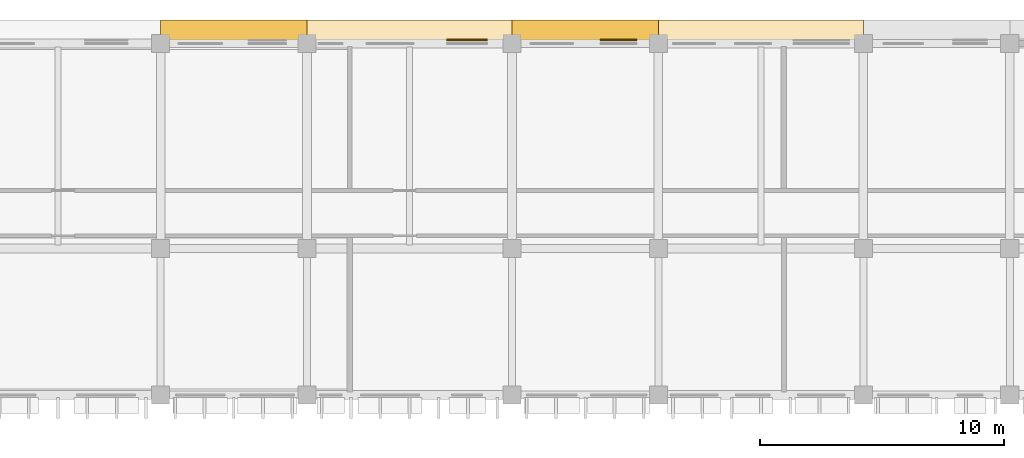
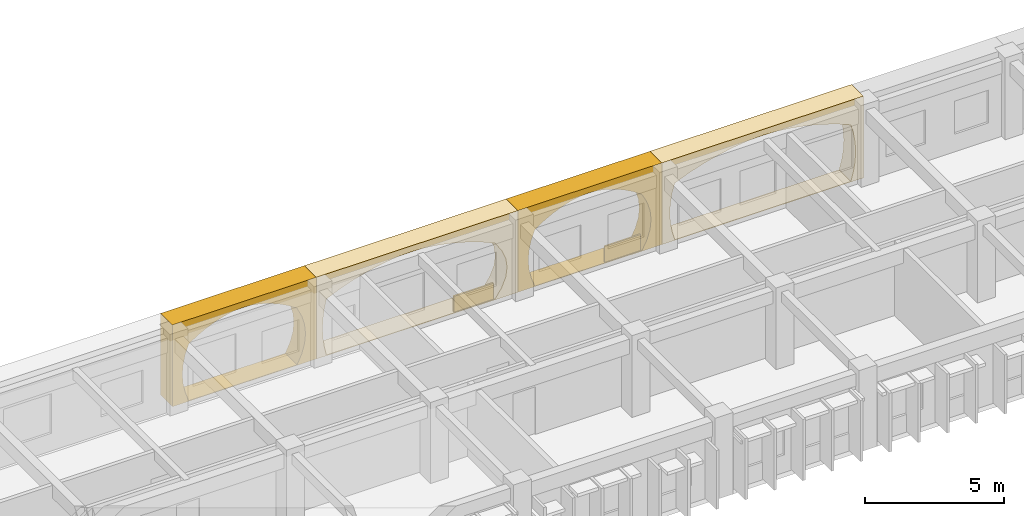
# One storey, part 83 of 88: 6 coverings.
"""IFC4 building model written with IfcOpenShell, lengths in metres."""

from ifc_helpers import new_model, si_unit, direction, frame, origin, origin_2d, place, context, subcontext, project, spatial, polyline, rectangle, outline, extrude, material, layer, layer_set, type_object, element, save


model = new_model("IFC4")

# Units and contexts
model_context = context("Model", 3, precision=1e-05, world=origin(), true_north=direction((0.0, 1.0)))
body_context = subcontext(model_context, "Body", "Model", "MODEL_VIEW")
ifc_project = project(units=[si_unit("LENGTHUNIT", "METRE"), si_unit("AREAUNIT", "SQUARE_METRE"), si_unit("VOLUMEUNIT", "CUBIC_METRE"), si_unit("PLANEANGLEUNIT", "RADIAN"), si_unit("MASSUNIT", "GRAM", prefix="KILO"), si_unit("THERMODYNAMICTEMPERATUREUNIT", "KELVIN")], contexts=[model_context])

# Site, building, storey
site_placement = place(None, origin())
site = spatial("IfcSite", under=ifc_project, at=site_placement, CompositionType="ELEMENT")
building_placement = place(site_placement, origin())
building = spatial("IfcBuilding", under=site, at=building_placement, Name="Thalorik Housing Commons", CompositionType="ELEMENT")
storey_placement = place(building_placement, frame((0.0, 0.0, 4.5)))
storey = spatial("IfcBuildingStorey", under=building, at=storey_placement, Name="L01", CompositionType="ELEMENT", Elevation=4.5)

# Coverings
ifc_material_1 = material(Name="Cobalt blue glazed ceramic facade tile panel", Category="masonry")
ifc_layer_1 = layer(ifc_material_1, 0.06005859375, Name="Cobalt blue glazed ceramic facade tile panel", Category="masonry")
ifc_layer_set_1 = layer_set([ifc_layer_1], Name="Cobalt blue glazed ceramic facade tile panel")
covering_type_1 = type_object("IfcCoveringType", Name="ARC-CLD-BLU-60", PredefinedType="CLADDING", material=ifc_layer_set_1)
covering_1_placement = place(storey_placement, frame((127.969970703125, 123.742431640625, 0.0498046875), z_axis=(0.0, 0.0, 1.0), x_axis=(-1.0, 0.0, 0.0)))
element("IfcCovering", 1, at=covering_1_placement, inside=storey, type_object=covering_type_1, Name="L01 De Stijl Recessed Window Spandrel 1509", PredefinedType="CLADDING", context=body_context, shape_type="SweptSolid", body=[
    extrude(rectangle(XDim=1.5, YDim=0.06005859375, at=origin_2d()), origin(), (0.0, 0.0, 1.0), 0.699951171875),
])
ifc_material_2 = material(Name="Precast concrete C40/50", Category="concrete")
ifc_layer_2 = layer(ifc_material_2, 0.85009765625, Name="Precast concrete C40/50", Category="concrete")
ifc_layer_set_2 = layer_set([ifc_layer_2], Name="Precast concrete C40/50")
covering_type_2 = type_object("IfcCoveringType", Name="ARC-CLD-CUSH-850", PredefinedType="CLADDING", material=ifc_layer_set_2)
covering_2_placement = place(storey_placement, frame((133.800048828125, 124.132568359375, 0.0), z_axis=(0.0, 0.0, 1.0), x_axis=(-1.0, 0.0, 0.0)))
element("IfcCovering", 2, at=covering_2_placement, inside=storey, type_object=covering_type_2, Name="L01 White Precast Curved Cushion Bay Frame 1506", PredefinedType="CLADDING", context=body_context, shape_type="SweptSolid", body=[
    extrude(outline(polyline([(-4.199951171875, 0.0), (4.199951171875, 0.0), (4.199951171875, 3.60009765625), (-4.199951171875, 3.60009765625), (-4.199951171875, 0.0)]), holes=[polyline([(3.66259765625, 0.02490234375), (3.77587890625, 0.44091796875), (3.843994140625, 0.856689453125), (3.86669921875, 1.2724609375), (3.843994140625, 1.688232421875), (3.77587890625, 2.104248046875), (3.66259765625, 2.52001953125), (3.051025390625, 2.76953125), (2.439697265625, 2.965576171875), (1.828125, 3.12451171875), (1.216796875, 3.242431640625), (0.605224609375, 3.3154296875), (-0.00634765625, 3.340087890625), (-0.61767578125, 3.3154296875), (-1.229248046875, 3.242431640625), (-1.840576171875, 3.12451171875), (-2.4521484375, 2.965576171875), (-3.0634765625, 2.76953125), (-3.675048828125, 2.52001953125), (-3.785888671875, 2.104248046875), (-3.852294921875, 1.688232421875), (-3.87451171875, 1.2724609375), (-3.852294921875, 0.856689453125), (-3.785888671875, 0.44091796875), (-3.675048828125, 0.02490234375), (3.66259765625, 0.02490234375)])]), frame((0.0, 0.425048828125, 0.0), z_axis=(0.0, -1.0, 0.0), x_axis=(1.0, 0.0, 0.0)), (0.0, 0.0, 1.0), 0.85009765625),
])
covering_3_placement = place(storey_placement, frame((126.60009765625, 124.132568359375, 0.0), z_axis=(0.0, 0.0, 1.0), x_axis=(-1.0, 0.0, 0.0)))
element("IfcCovering", 3, at=covering_3_placement, inside=storey, type_object=covering_type_2, Name="L01 White Precast Curved Cushion Bay Frame 1508", PredefinedType="CLADDING", context=body_context, shape_type="SweptSolid", body=[
    extrude(outline(polyline([(-3.0, 0.0), (3.0, 0.0), (3.0, 3.60009765625), (-3.0, 3.60009765625), (-3.0, 0.0)]), holes=[polyline([(2.294921875, 0.02490234375), (2.44384765625, 0.4375), (2.533203125, 0.85009765625), (2.56298828125, 1.262451171875), (2.533203125, 1.675048828125), (2.44384765625, 2.08740234375), (2.294921875, 2.5), (1.9228515625, 2.755615234375), (1.55078125, 2.956298828125), (1.1787109375, 3.119140625), (0.806640625, 3.239990234375), (0.4345703125, 3.314697265625), (0.0625, 3.340087890625), (-0.3095703125, 3.314697265625), (-0.681640625, 3.239990234375), (-1.0537109375, 3.119140625), (-1.42578125, 2.956298828125), (-1.7978515625, 2.755615234375), (-2.169921875, 2.5), (-2.381103515625, 2.08740234375), (-2.5078125, 1.675048828125), (-2.550048828125, 1.262451171875), (-2.5078125, 0.85009765625), (-2.381103515625, 0.4375), (-2.169921875, 0.02490234375), (2.294921875, 0.02490234375)])]), frame((0.0, 0.425048828125, 0.0), z_axis=(0.0, -1.0, 0.0), x_axis=(1.0, 0.0, 0.0)), (0.0, 0.0, 1.0), 0.85009765625),
])
covering_4_placement = place(storey_placement, frame((119.39990234375, 124.132568359375, 0.0), z_axis=(0.0, 0.0, 1.0), x_axis=(-1.0, 0.0, 0.0)))
element("IfcCovering", 4, at=covering_4_placement, inside=storey, type_object=covering_type_2, Name="L01 White Precast Curved Cushion Bay Frame 1510", PredefinedType="CLADDING", context=body_context, shape_type="SweptSolid", body=[
    extrude(outline(polyline([(-4.199951171875, 0.0), (4.199951171875, 0.0), (4.199951171875, 3.60009765625), (-4.199951171875, 3.60009765625), (-4.199951171875, 0.0)]), holes=[polyline([(3.780029296875, 0.02490234375), (3.86865234375, 0.4375), (3.921875, 0.85009765625), (3.939697265625, 1.262451171875), (3.921875, 1.675048828125), (3.86865234375, 2.08740234375), (3.780029296875, 2.5), (3.195068359375, 2.755615234375), (2.610107421875, 2.956298828125), (2.02490234375, 3.119140625), (1.43994140625, 3.239990234375), (0.85498046875, 3.314697265625), (0.27001953125, 3.340087890625), (-0.31494140625, 3.314697265625), (-0.89990234375, 3.239990234375), (-1.485107421875, 3.119140625), (-2.070068359375, 2.956298828125), (-2.655029296875, 2.755615234375), (-3.239990234375, 2.5), (-3.523193359375, 2.08740234375), (-3.693359375, 1.675048828125), (-3.75, 1.262451171875), (-3.693359375, 0.85009765625), (-3.523193359375, 0.4375), (-3.239990234375, 0.02490234375), (3.780029296875, 0.02490234375)])]), frame((0.0, 0.425048828125, 0.0), z_axis=(0.0, -1.0, 0.0), x_axis=(1.0, 0.0, 0.0)), (0.0, 0.0, 1.0), 0.85009765625),
])
covering_5_placement = place(storey_placement, frame((112.199951171875, 124.132568359375, 0.0), z_axis=(0.0, 0.0, 1.0), x_axis=(-1.0, 0.0, 0.0)))
element("IfcCovering", 5, at=covering_5_placement, inside=storey, type_object=covering_type_2, Name="L01 White Precast Curved Cushion Bay Frame 1512", PredefinedType="CLADDING", context=body_context, shape_type="SweptSolid", body=[
    extrude(outline(polyline([(-3.0, 0.0), (3.0, 0.0), (3.0, 3.60009765625), (-3.0, 3.60009765625), (-3.0, 0.0)]), holes=[polyline([(2.320068359375, 0.02490234375), (2.463623046875, 0.44091796875), (2.5498046875, 0.856689453125), (2.578369140625, 1.2724609375), (2.5498046875, 1.688232421875), (2.463623046875, 2.104248046875), (2.320068359375, 2.52001953125), (1.94384765625, 2.76953125), (1.5673828125, 2.965576171875), (1.19140625, 3.12451171875), (0.81494140625, 3.242431640625), (0.438720703125, 3.3154296875), (0.0625, 3.340087890625), (-0.313720703125, 3.3154296875), (-0.68994140625, 3.242431640625), (-1.06640625, 3.12451171875), (-1.4423828125, 2.965576171875), (-1.818603515625, 2.76953125), (-2.195068359375, 2.52001953125), (-2.39208984375, 2.104248046875), (-2.510498046875, 1.688232421875), (-2.550048828125, 1.2724609375), (-2.510498046875, 0.856689453125), (-2.39208984375, 0.44091796875), (-2.195068359375, 0.02490234375), (2.320068359375, 0.02490234375)])]), frame((0.0, 0.425048828125, 0.0), z_axis=(0.0, -1.0, 0.0), x_axis=(1.0, 0.0, 0.0)), (0.0, 0.0, 1.0), 0.85009765625),
])
ifc_material_3 = material(Name="Mineral ochre architectural terracotta panel", Category="masonry")
ifc_layer_3 = layer(ifc_material_3, 0.06494140625, Name="Mineral ochre architectural terracotta panel", Category="masonry")
ifc_layer_set_3 = layer_set([ifc_layer_3], Name="Mineral ochre architectural terracotta panel")
covering_type_3 = type_object("IfcCoveringType", Name="ARC-CLD-YEL-65", PredefinedType="CLADDING", material=ifc_layer_set_3)
covering_6_placement = place(storey_placement, frame((121.760009765625, 123.7451171875, 0.0498046875), z_axis=(0.0, 0.0, 1.0), x_axis=(-1.0, 0.0, 0.0)))
element("IfcCovering", 6, at=covering_6_placement, inside=storey, type_object=covering_type_3, Name="L01 De Stijl Recessed Window Spandrel 1511", PredefinedType="CLADDING", context=body_context, shape_type="SweptSolid", body=[
    extrude(rectangle(XDim=1.64990234375, YDim=0.06494140625, at=origin_2d()), origin(), (0.0, 0.0, 1.0), 0.699951171875),
])

save(model, "model.ifc")
